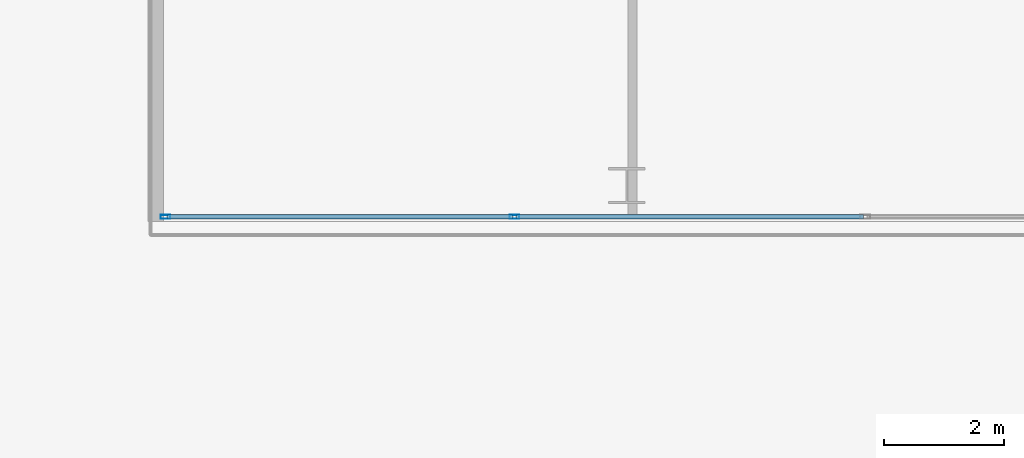
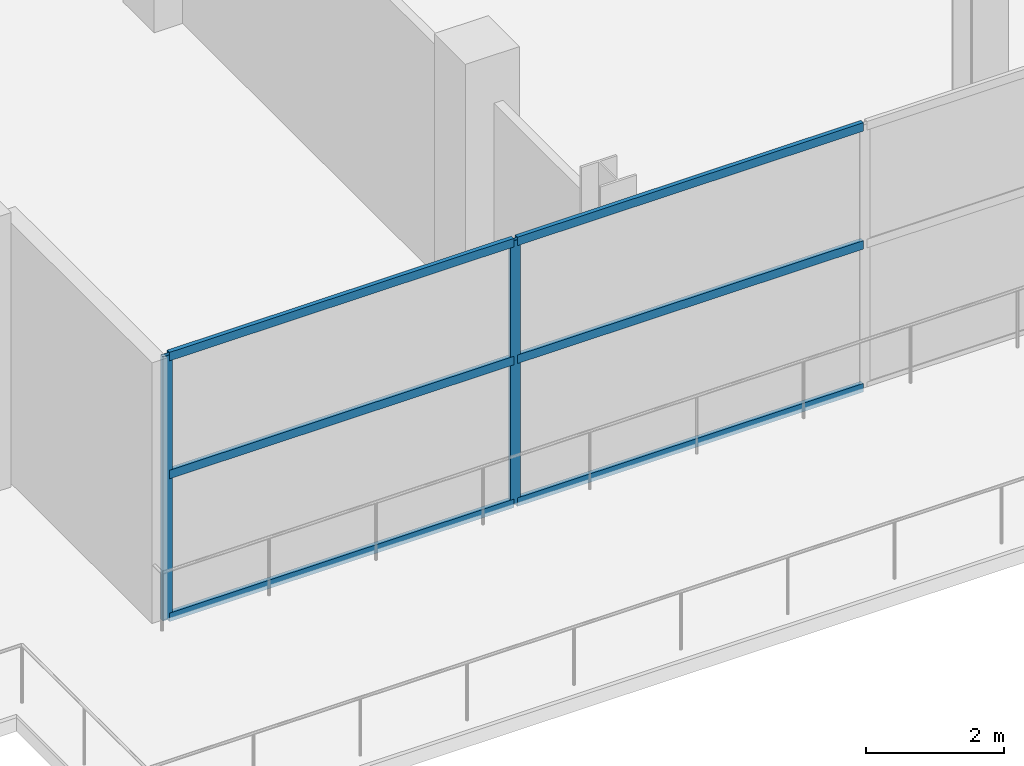
# One storey, part 2 of 31: 8 members, 1 element without a shape of its own.
"""IFC4 building model written with IfcOpenShell, lengths in metres."""

from ifc_helpers import new_model, si_unit, direction, frame, origin, origin_2d, place, context, subcontext, project, spatial, hollow_rectangle, extrude, material, layer, layer_set, material_profile, profile_set, type_object, element, aggregate, save


model = new_model("IFC4")

# Units and contexts
model_context = context("Model", 3, precision=1e-05, world=origin(), true_north=direction((0.0, 1.0)))
body_context = subcontext(model_context, "Body", "Model", "MODEL_VIEW")
ifc_project = project(units=[si_unit("LENGTHUNIT", "METRE"), si_unit("AREAUNIT", "SQUARE_METRE"), si_unit("VOLUMEUNIT", "CUBIC_METRE"), si_unit("PLANEANGLEUNIT", "RADIAN"), si_unit("MASSUNIT", "GRAM", prefix="KILO")], contexts=[model_context])

# Site, building, storey
site_placement = place(None, origin())
site = spatial("IfcSite", under=ifc_project, at=site_placement, CompositionType="ELEMENT")
building_placement = place(site_placement, origin())
building = spatial("IfcBuilding", under=site, at=building_placement, Name="Maruvema Waterfront Hotel and Observation Tower", CompositionType="ELEMENT")
storey_placement = place(building_placement, frame((0.0, 0.0, 122.5)))
storey = spatial("IfcBuildingStorey", under=building, at=storey_placement, Name="L29", CompositionType="ELEMENT", Elevation=122.5)

# Curtain wall, members
ifc_material_1 = material(Name="Anodised bronze aluminium and solar-control low-E IGU", Category="aluminium")
ifc_layer = layer(ifc_material_1, 0.159912109375, Name="Zone 2 Amber Inner Thermal Curtain Wall System CW-03")
ifc_layer_set = layer_set([ifc_layer], Name="Anodised bronze aluminium and solar-control low-E IGU")
curtain_wall_type = type_object("IfcCurtainWallType", Name="Zone 2 Amber Inner Thermal Curtain Wall System CW-03", PredefinedType="USERDEFINED", material=ifc_layer_set)
curtain_wall_placement = place(storey_placement, origin())
curtain_wall = element("IfcCurtainWall", 1, at=curtain_wall_placement, inside=storey, type_object=curtain_wall_type, Name="L29 Curtain Wall CW-L29-SW", ObjectType="UNITISED CURTAIN WALL", PredefinedType="USERDEFINED")
ifc_material_2 = material(Name="Anodised architectural bronze aluminium", Category="aluminium")
ifc_material_profile_1 = material_profile(ifc_material_2, hollow_rectangle(XDim=0.070068359375, YDim=0.14990234375, WallThickness=0.00390625, at=origin_2d()), Name="ALU-T70x150")
ifc_profile_set_1 = profile_set([ifc_material_profile_1], Name="Anodised architectural bronze aluminium")
member_type_1 = type_object("IfcMemberType", Name="Curtain Wall Horizontal Transom ALU-T70x150", PredefinedType="USERDEFINED", material=ifc_profile_set_1)
member_1_placement = place(storey_placement, frame((17.56005859375, 4.679931640625, 0.030029296875), z_axis=(1.0, 0.0, 0.0), x_axis=(0.0, 1.0, 0.0)))
member_1 = element("IfcMember", 2, at=member_1_placement, type_object=member_type_1, Name="CW-03 transom 1.1", ObjectType="TRANSOM", PredefinedType="USERDEFINED", context=body_context, shape_type="SweptSolid", body=[
    extrude(hollow_rectangle(XDim=0.070068359375, YDim=0.14990234375, WallThickness=0.00390625, at=origin_2d()), origin(), (0.0, 0.0, 1.0), 5.7431640625),
])
member_2_placement = place(storey_placement, frame((17.56005859375, 4.679931640625, 2.550048828125), z_axis=(1.0, 0.0, 0.0), x_axis=(0.0, 1.0, 0.0)))
member_2 = element("IfcMember", 3, at=member_2_placement, type_object=member_type_1, Name="CW-03 transom 1.2", ObjectType="TRANSOM", PredefinedType="USERDEFINED", context=body_context, shape_type="SweptSolid", body=[
    extrude(hollow_rectangle(XDim=0.070068359375, YDim=0.14990234375, WallThickness=0.00390625, at=origin_2d()), origin(), (0.0, 0.0, 1.0), 5.7431640625),
])
member_3_placement = place(storey_placement, frame((17.56005859375, 4.679931640625, 4.6298828125), z_axis=(1.0, 0.0, 0.0), x_axis=(0.0, 1.0, 0.0)))
member_3 = element("IfcMember", 4, at=member_3_placement, type_object=member_type_1, Name="CW-03 transom 1.3", ObjectType="TRANSOM", PredefinedType="USERDEFINED", context=body_context, shape_type="SweptSolid", body=[
    extrude(hollow_rectangle(XDim=0.070068359375, YDim=0.14990234375, WallThickness=0.00390625, at=origin_2d()), origin(), (0.0, 0.0, 1.0), 5.7431640625),
])
member_4_placement = place(storey_placement, frame((23.36328125, 4.679931640625, 0.030029296875), z_axis=(1.0, 0.0, 0.0), x_axis=(0.0, 1.0, 0.0)))
member_4 = element("IfcMember", 5, at=member_4_placement, type_object=member_type_1, Name="CW-03 transom 2.1", ObjectType="TRANSOM", PredefinedType="USERDEFINED", context=body_context, shape_type="SweptSolid", body=[
    extrude(hollow_rectangle(XDim=0.070068359375, YDim=0.14990234375, WallThickness=0.00390625, at=origin_2d()), origin(), (0.0, 0.0, 1.0), 5.7734375),
])
member_5_placement = place(storey_placement, frame((23.36328125, 4.679931640625, 2.550048828125), z_axis=(1.0, 0.0, 0.0), x_axis=(0.0, 1.0, 0.0)))
member_5 = element("IfcMember", 6, at=member_5_placement, type_object=member_type_1, Name="CW-03 transom 2.2", ObjectType="TRANSOM", PredefinedType="USERDEFINED", context=body_context, shape_type="SweptSolid", body=[
    extrude(hollow_rectangle(XDim=0.070068359375, YDim=0.14990234375, WallThickness=0.00390625, at=origin_2d()), origin(), (0.0, 0.0, 1.0), 5.7734375),
])
member_6_placement = place(storey_placement, frame((23.36328125, 4.679931640625, 4.6298828125), z_axis=(1.0, 0.0, 0.0), x_axis=(0.0, 1.0, 0.0)))
member_6 = element("IfcMember", 7, at=member_6_placement, type_object=member_type_1, Name="CW-03 transom 2.3", ObjectType="TRANSOM", PredefinedType="USERDEFINED", context=body_context, shape_type="SweptSolid", body=[
    extrude(hollow_rectangle(XDim=0.070068359375, YDim=0.14990234375, WallThickness=0.00390625, at=origin_2d()), origin(), (0.0, 0.0, 1.0), 5.7734375),
])
ifc_material_3 = material(Name="Anodised architectural bronze aluminium", Category="aluminium")
ifc_material_profile_2 = material_profile(ifc_material_3, hollow_rectangle(XDim=0.06494140625, YDim=0.1650390625, WallThickness=0.00390625, at=origin_2d()), Name="ALU-M65x165")
ifc_profile_set_2 = profile_set([ifc_material_profile_2], Name="Anodised architectural bronze aluminium")
member_type_2 = type_object("IfcMemberType", Name="Curtain Wall Primary Mullion ALU-M65x165", PredefinedType="MULLION", material=ifc_profile_set_2)
member_7_placement = place(storey_placement, frame((17.530029296875, 4.679931640625, 0.0), z_axis=(0.0, 0.0, 1.0), x_axis=(0.0, 1.0, 0.0)))
member_7 = element("IfcMember", 8, at=member_7_placement, type_object=member_type_2, Name="CW-03 mullion 1", PredefinedType="MULLION", context=body_context, shape_type="SweptSolid", body=[
    extrude(hollow_rectangle(XDim=0.06494140625, YDim=0.1650390625, WallThickness=0.00390625, at=origin_2d()), origin(), (0.0, 0.0, 1.0), 4.659912109375),
])
member_8_placement = place(storey_placement, frame((23.333251953125, 4.679931640625, 0.0), z_axis=(0.0, 0.0, 1.0), x_axis=(0.0, 1.0, 0.0)))
member_8 = element("IfcMember", 9, at=member_8_placement, type_object=member_type_2, Name="CW-03 mullion 2", PredefinedType="MULLION", context=body_context, shape_type="SweptSolid", body=[
    extrude(hollow_rectangle(XDim=0.06494140625, YDim=0.1650390625, WallThickness=0.00390625, at=origin_2d()), origin(), (0.0, 0.0, 1.0), 4.659912109375),
])
aggregate(curtain_wall, [member_7, member_8, member_1, member_2, member_3, member_4, member_5, member_6])

save(model, "model.ifc")
